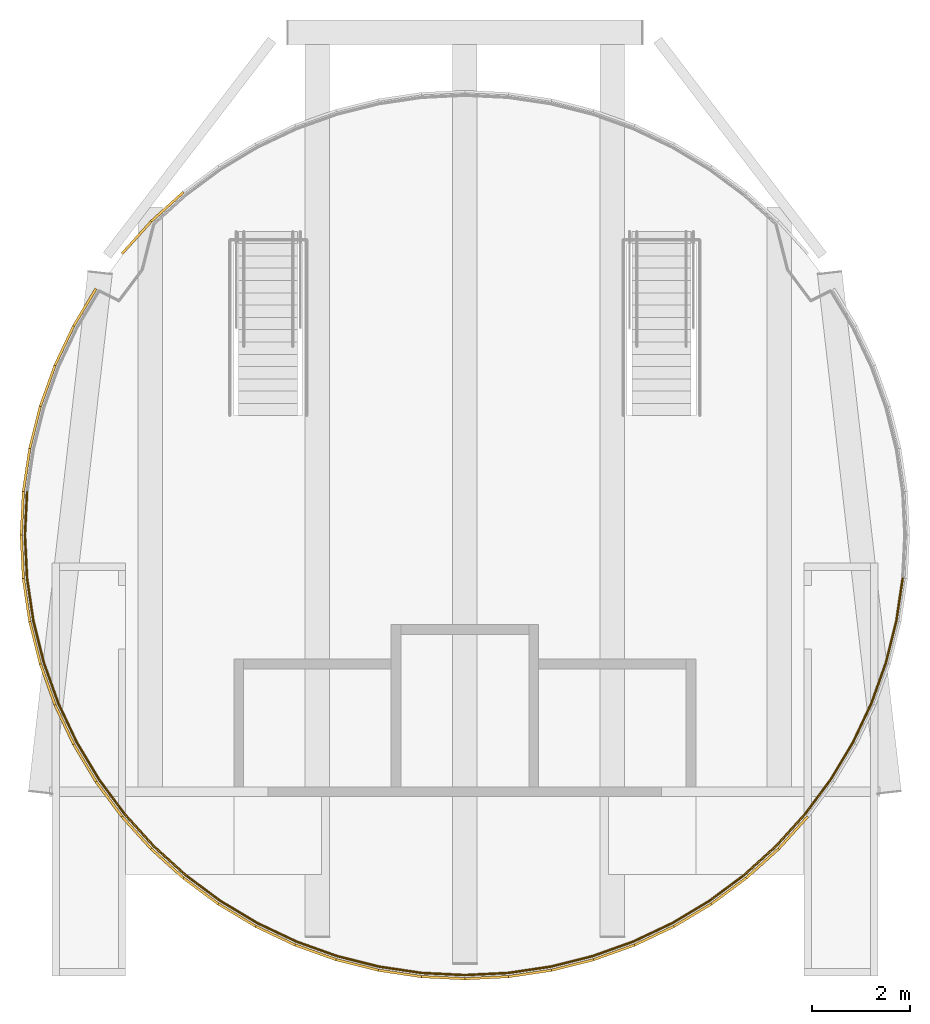
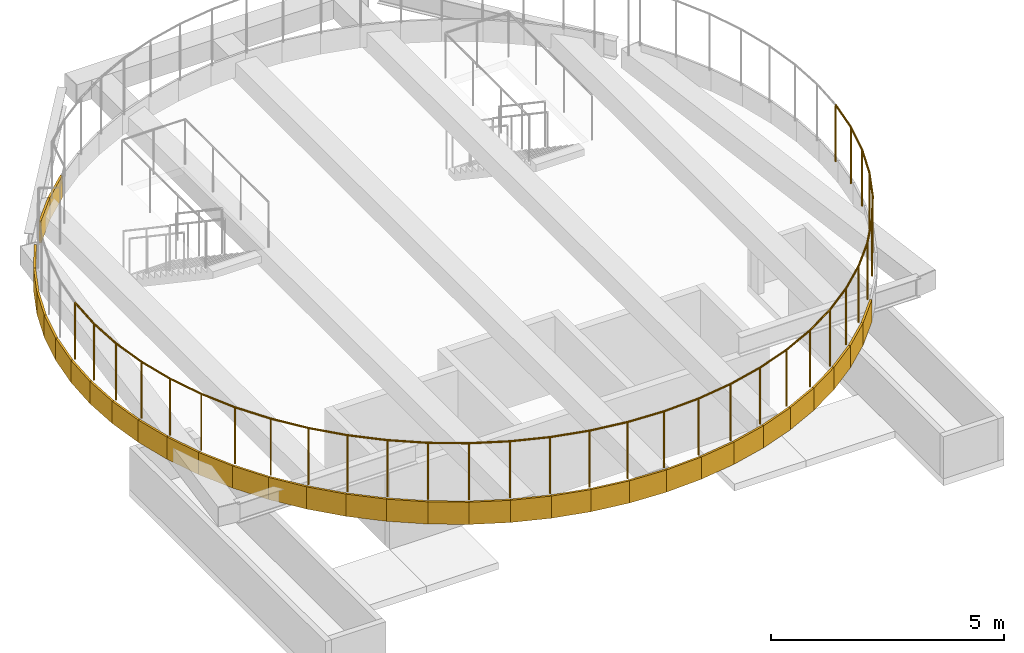
# One storey, part 2 of 4: 33 shading devices, 2 railings.
"""IFC4 building model written with IfcOpenShell, lengths in metres."""

from ifc_helpers import new_model, si_unit, direction, frame, origin, origin_2d, place, context, subcontext, project, spatial, polyline, circle, outline, extrude, material, layer, layer_set, type_object, element, save


model = new_model("IFC4")

# Units and contexts
model_context = context("Model", 3, precision=1e-05, world=origin(), true_north=direction((0.0, 1.0)))
body_context = subcontext(model_context, "Body", "Model", "MODEL_VIEW")
ifc_project = project(units=[si_unit("LENGTHUNIT", "METRE"), si_unit("AREAUNIT", "SQUARE_METRE"), si_unit("VOLUMEUNIT", "CUBIC_METRE"), si_unit("PLANEANGLEUNIT", "RADIAN"), si_unit("MASSUNIT", "GRAM", prefix="KILO")], contexts=[model_context])

# Site, building, storey
site_placement = place(None, origin())
site = spatial("IfcSite", under=ifc_project, at=site_placement, CompositionType="ELEMENT")
building_placement = place(site_placement, origin())
building = spatial("IfcBuilding", under=site, at=building_placement, Name="Fogline Exchange Tower", CompositionType="ELEMENT")
storey_placement = place(building_placement, frame((0.0, 0.0, 372.10009765625)))
storey = spatial("IfcBuildingStorey", under=building, at=storey_placement, Name="RF-3", CompositionType="ELEMENT", Elevation=372.10009765625)

# Railings
ifc_material_1 = material(Name="Stainless steel 304", Category="steel")
railing_type = type_object("IfcRailingType", Name="G2", PredefinedType="GUARDRAIL", material=ifc_material_1)
railing_1_placement = place(storey_placement, frame((8.906982421875, 10.0927734375, 2.699951171875)))
element("IfcRailing", 1, at=railing_1_placement, inside=storey, type_object=railing_type, Name="Helipad safety net guard", PredefinedType="GUARDRAIL", context=body_context, shape_type="SweptSolid", body=[
    extrude(circle(Radius=0.02392578125, at=origin_2d()), frame((0.0, 0.0, 1.47607421875), z_axis=(-0.146790471398, -0.989167608399, 0.0), x_axis=(0.989167608399, -0.146790471398, 0.0)), (0.0, 0.0, 1.0), 0.878173828125),
    extrude(circle(Radius=0.02392578125, at=origin_2d()), frame((-0.12890625, -0.86865234375, 1.47607421875), z_axis=(-0.242862522725, -0.970060717201, 0.0), x_axis=(0.970060717201, -0.242862522725, 0.0)), (0.0, 0.0, 1.0), 0.878662109375),
    extrude(circle(Radius=0.02392578125, at=origin_2d()), frame((-0.34228515625, -1.720947265625, 1.47607421875), z_axis=(-0.336917459354, -0.941534187155, 0.0), x_axis=(0.941534187155, -0.336917459354, 0.0)), (0.0, 0.0, 1.0), 0.878173828125),
    extrude(circle(Radius=0.02392578125, at=origin_2d()), frame((-0.63818359375, -2.5478515625, 1.47607421875), z_axis=(-0.427536590389, -0.903998044178, 0.0), x_axis=(0.903998044178, -0.427536590389, 0.0)), (0.0, 0.0, 1.0), 0.878173828125),
    extrude(circle(Radius=0.02392578125, at=origin_2d()), frame((-1.013671875, -3.341796875, 1.47607421875), z_axis=(-0.51429133249, -0.857615546341, 0.0), x_axis=(0.857615546341, -0.51429133249, 0.0)), (0.0, 0.0, 1.0), 0.878173828125),
    extrude(circle(Radius=0.02392578125, at=origin_2d()), frame((-1.46533203125, -4.094970703125, 1.47607421875), z_axis=(-0.595632942486, -0.80325674465, 0.0), x_axis=(0.80325674465, -0.595632942486, 0.0)), (0.0, 0.0, 1.0), 0.87841796875),
    extrude(circle(Radius=0.02392578125, at=origin_2d()), frame((-1.988525390625, -4.800537109375, 1.47607421875), z_axis=(-0.671509886699, -0.740995595173, 0.0), x_axis=(0.740995595173, -0.671509886699, 0.0)), (0.0, 0.0, 1.0), 0.87841796875),
    extrude(circle(Radius=0.02392578125, at=origin_2d()), frame((-2.578369140625, -5.451416015625, 1.47607421875), z_axis=(-0.740995595173, -0.671509886699, 0.0), x_axis=(0.671509886699, -0.740995595173, 0.0)), (0.0, 0.0, 1.0), 0.87841796875),
    extrude(circle(Radius=0.02392578125, at=origin_2d()), frame((-3.229248046875, -6.041259765625, 1.47607421875), z_axis=(-0.803158103208, -0.595765945024, 0.0), x_axis=(0.595765945024, -0.803158103208, 0.0)), (0.0, 0.0, 1.0), 0.878173828125),
    extrude(circle(Radius=0.02392578125, at=origin_2d()), frame((-3.9345703125, -6.564453125, 1.47607421875), z_axis=(-0.857811607572, -0.513964245755, 0.0), x_axis=(0.513964245755, -0.857811607572, 0.0)), (0.0, 0.0, 1.0), 0.87841796875),
    extrude(circle(Radius=0.02392578125, at=origin_2d()), frame((-4.68798828125, -7.015869140625, 1.47607421875), z_axis=(-0.903998044178, -0.427536590389, 0.0), x_axis=(0.427536590389, -0.903998044178, 0.0)), (0.0, 0.0, 1.0), 0.878173828125),
    extrude(circle(Radius=0.02392578125, at=origin_2d()), frame((-5.48193359375, -7.391357421875, 1.47607421875), z_axis=(-0.941534187155, -0.336917459354, 0.0), x_axis=(0.336917459354, -0.941534187155, 0.0)), (0.0, 0.0, 1.0), 0.878173828125),
    extrude(circle(Radius=0.02392578125, at=origin_2d()), frame((-6.308837890625, -7.687255859375, 1.47607421875), z_axis=(-0.96997879098, -0.243189524959, 0.0), x_axis=(0.243189524959, -0.96997879098, 0.0)), (0.0, 0.0, 1.0), 0.87841796875),
    extrude(circle(Radius=0.02392578125, at=origin_2d()), frame((-7.160888671875, -7.90087890625, 1.47607421875), z_axis=(-0.989173596382, -0.146750114889, 0.0), x_axis=(0.146750114889, -0.989173596382, 0.0)), (0.0, 0.0, 1.0), 0.87841796875),
    extrude(circle(Radius=0.02392578125, at=origin_2d()), frame((-8.02978515625, -8.02978515625, 1.47607421875), z_axis=(-0.998802431913, -0.048925473982, 0.0), x_axis=(0.048925473982, -0.998802431913, 0.0)), (0.0, 0.0, 1.0), 0.878173828125),
    extrude(circle(Radius=0.02392578125, at=origin_2d()), frame((-8.906982421875, -8.07275390625, 1.47607421875), z_axis=(-0.998802431913, 0.048925473982, 0.0), x_axis=(-0.048925473982, -0.998802431913, 0.0)), (0.0, 0.0, 1.0), 0.878173828125),
    extrude(circle(Radius=0.02099609375, at=origin_2d()), origin(), (0.0, 0.0, 1.0), 1.451904296875),
    extrude(circle(Radius=0.02099609375, at=origin_2d()), frame((-0.12890625, -0.86865234375, 0.0)), (0.0, 0.0, 1.0), 1.451904296875),
    extrude(circle(Radius=0.02099609375, at=origin_2d()), frame((-0.34228515625, -1.720947265625, 0.0)), (0.0, 0.0, 1.0), 1.451904296875),
    extrude(circle(Radius=0.02099609375, at=origin_2d()), frame((-0.63818359375, -2.5478515625, 0.0)), (0.0, 0.0, 1.0), 1.451904296875),
    extrude(circle(Radius=0.02099609375, at=origin_2d()), frame((-1.013671875, -3.341796875, 0.0)), (0.0, 0.0, 1.0), 1.451904296875),
    extrude(circle(Radius=0.02099609375, at=origin_2d()), frame((-1.46533203125, -4.094970703125, 0.0)), (0.0, 0.0, 1.0), 1.451904296875),
    extrude(circle(Radius=0.02099609375, at=origin_2d()), frame((-1.988525390625, -4.800537109375, 0.0)), (0.0, 0.0, 1.0), 1.451904296875),
    extrude(circle(Radius=0.02099609375, at=origin_2d()), frame((-2.578369140625, -5.451416015625, 0.0)), (0.0, 0.0, 1.0), 1.451904296875),
    extrude(circle(Radius=0.02099609375, at=origin_2d()), frame((-3.229248046875, -6.041259765625, 0.0)), (0.0, 0.0, 1.0), 1.451904296875),
    extrude(circle(Radius=0.02099609375, at=origin_2d()), frame((-3.9345703125, -6.564453125, 0.0)), (0.0, 0.0, 1.0), 1.451904296875),
    extrude(circle(Radius=0.02099609375, at=origin_2d()), frame((-4.68798828125, -7.015869140625, 0.0)), (0.0, 0.0, 1.0), 1.451904296875),
    extrude(circle(Radius=0.02099609375, at=origin_2d()), frame((-5.48193359375, -7.391357421875, 0.0)), (0.0, 0.0, 1.0), 1.451904296875),
    extrude(circle(Radius=0.02099609375, at=origin_2d()), frame((-6.308837890625, -7.687255859375, 0.0)), (0.0, 0.0, 1.0), 1.451904296875),
    extrude(circle(Radius=0.02099609375, at=origin_2d()), frame((-7.160888671875, -7.90087890625, 0.0)), (0.0, 0.0, 1.0), 1.451904296875),
    extrude(circle(Radius=0.02099609375, at=origin_2d()), frame((-8.02978515625, -8.02978515625, 0.0)), (0.0, 0.0, 1.0), 1.451904296875),
    extrude(circle(Radius=0.02099609375, at=origin_2d()), frame((-8.906982421875, -8.07275390625, 0.0)), (0.0, 0.0, 1.0), 1.451904296875),
    extrude(circle(Radius=0.02099609375, at=origin_2d()), frame((-9.7841796875, -8.02978515625, 0.0)), (0.0, 0.0, 1.0), 1.451904296875),
])
railing_2_placement = place(storey_placement, frame((-0.877197265625, 2.06298828125, 2.699951171875)))
element("IfcRailing", 2, at=railing_2_placement, inside=storey, type_object=railing_type, Name="Helipad safety net guard", PredefinedType="GUARDRAIL", context=body_context, shape_type="SweptSolid", body=[
    extrude(circle(Radius=0.02392578125, at=origin_2d()), frame((0.0, 0.0, 1.47607421875), z_axis=(-0.989173596382, 0.146750114889, 0.0), x_axis=(-0.146750114889, -0.989173596382, 0.0)), (0.0, 0.0, 1.0), 0.87841796875),
    extrude(circle(Radius=0.02392578125, at=origin_2d()), frame((-0.868896484375, 0.12890625, 1.47607421875), z_axis=(-0.96997879098, 0.243189524959, 0.0), x_axis=(-0.243189524959, -0.96997879098, 0.0)), (0.0, 0.0, 1.0), 0.87841796875),
    extrude(circle(Radius=0.02392578125, at=origin_2d()), frame((-1.720947265625, 0.342529296875, 1.47607421875), z_axis=(-0.941534187155, 0.336917459354, 0.0), x_axis=(-0.336917459354, -0.941534187155, 0.0)), (0.0, 0.0, 1.0), 0.878173828125),
    extrude(circle(Radius=0.02392578125, at=origin_2d()), frame((-2.5478515625, 0.638427734375, 1.47607421875), z_axis=(-0.903998044178, 0.427536590389, 0.0), x_axis=(-0.427536590389, -0.903998044178, 0.0)), (0.0, 0.0, 1.0), 0.878173828125),
    extrude(circle(Radius=0.02392578125, at=origin_2d()), frame((-3.341796875, 1.013916015625, 1.47607421875), z_axis=(-0.857811607572, 0.513964245755, 0.0), x_axis=(-0.513964245755, -0.857811607572, 0.0)), (0.0, 0.0, 1.0), 0.87841796875),
    extrude(circle(Radius=0.02392578125, at=origin_2d()), frame((-4.09521484375, 1.46533203125, 1.47607421875), z_axis=(-0.803158103208, 0.595765945024, 0.0), x_axis=(-0.595765945024, -0.803158103208, 0.0)), (0.0, 0.0, 1.0), 0.878173828125),
    extrude(circle(Radius=0.02392578125, at=origin_2d()), frame((-4.800537109375, 1.988525390625, 1.47607421875), z_axis=(-0.740995595173, 0.671509886699, 0.0), x_axis=(-0.671509886699, -0.740995595173, 0.0)), (0.0, 0.0, 1.0), 0.87841796875),
    extrude(circle(Radius=0.02392578125, at=origin_2d()), frame((-5.451416015625, 2.578369140625, 1.47607421875), z_axis=(-0.671509886699, 0.740995595173, 0.0), x_axis=(-0.740995595173, -0.671509886699, 0.0)), (0.0, 0.0, 1.0), 0.87841796875),
    extrude(circle(Radius=0.02392578125, at=origin_2d()), frame((-6.041259765625, 3.229248046875, 1.47607421875), z_axis=(-0.595632942486, 0.80325674465, 0.0), x_axis=(-0.80325674465, -0.595632942486, 0.0)), (0.0, 0.0, 1.0), 0.87841796875),
    extrude(circle(Radius=0.02392578125, at=origin_2d()), frame((-6.564453125, 3.934814453125, 1.47607421875), z_axis=(-0.51429133249, 0.857615546341, 0.0), x_axis=(-0.857615546341, -0.51429133249, 0.0)), (0.0, 0.0, 1.0), 0.878173828125),
    extrude(circle(Radius=0.02392578125, at=origin_2d()), frame((-7.01611328125, 4.68798828125, 1.47607421875), z_axis=(-0.427536590389, 0.903998044178, 0.0), x_axis=(-0.903998044178, -0.427536590389, 0.0)), (0.0, 0.0, 1.0), 0.878173828125),
    extrude(circle(Radius=0.02392578125, at=origin_2d()), frame((-7.3916015625, 5.48193359375, 1.47607421875), z_axis=(-0.336917459354, 0.941534187155, 0.0), x_axis=(-0.941534187155, -0.336917459354, 0.0)), (0.0, 0.0, 1.0), 0.878173828125),
    extrude(circle(Radius=0.02392578125, at=origin_2d()), frame((-7.6875, 6.308837890625, 1.47607421875), z_axis=(-0.242862522725, 0.970060717201, 0.0), x_axis=(-0.970060717201, -0.242862522725, 0.0)), (0.0, 0.0, 1.0), 0.878662109375),
    extrude(circle(Radius=0.02392578125, at=origin_2d()), frame((-7.90087890625, 7.1611328125, 1.47607421875), z_axis=(-0.146790471398, 0.989167608399, 0.0), x_axis=(-0.989167608399, -0.146790471398, 0.0)), (0.0, 0.0, 1.0), 0.878173828125),
    extrude(circle(Radius=0.02392578125, at=origin_2d()), frame((-8.02978515625, 8.02978515625, 1.47607421875), z_axis=(-0.048925473982, 0.998802431913, 0.0), x_axis=(-0.998802431913, -0.048925473982, 0.0)), (0.0, 0.0, 1.0), 0.878173828125),
    extrude(circle(Radius=0.02392578125, at=origin_2d()), frame((-8.07275390625, 8.906982421875, 1.47607421875), z_axis=(0.048911893456, 0.998803097051, 0.0), x_axis=(-0.998803097051, 0.048911893456, 0.0)), (0.0, 0.0, 1.0), 0.87841796875),
    extrude(circle(Radius=0.02099609375, at=origin_2d()), origin(), (0.0, 0.0, 1.0), 1.451904296875),
    extrude(circle(Radius=0.02099609375, at=origin_2d()), frame((-0.868896484375, 0.12890625, 0.0)), (0.0, 0.0, 1.0), 1.451904296875),
    extrude(circle(Radius=0.02099609375, at=origin_2d()), frame((-1.720947265625, 0.342529296875, 0.0)), (0.0, 0.0, 1.0), 1.451904296875),
    extrude(circle(Radius=0.02099609375, at=origin_2d()), frame((-2.5478515625, 0.638427734375, 0.0)), (0.0, 0.0, 1.0), 1.451904296875),
    extrude(circle(Radius=0.02099609375, at=origin_2d()), frame((-3.341796875, 1.013916015625, 0.0)), (0.0, 0.0, 1.0), 1.451904296875),
    extrude(circle(Radius=0.02099609375, at=origin_2d()), frame((-4.09521484375, 1.46533203125, 0.0)), (0.0, 0.0, 1.0), 1.451904296875),
    extrude(circle(Radius=0.02099609375, at=origin_2d()), frame((-4.800537109375, 1.988525390625, 0.0)), (0.0, 0.0, 1.0), 1.451904296875),
    extrude(circle(Radius=0.02099609375, at=origin_2d()), frame((-5.451416015625, 2.578369140625, 0.0)), (0.0, 0.0, 1.0), 1.451904296875),
    extrude(circle(Radius=0.02099609375, at=origin_2d()), frame((-6.041259765625, 3.229248046875, 0.0)), (0.0, 0.0, 1.0), 1.451904296875),
    extrude(circle(Radius=0.02099609375, at=origin_2d()), frame((-6.564453125, 3.934814453125, 0.0)), (0.0, 0.0, 1.0), 1.451904296875),
    extrude(circle(Radius=0.02099609375, at=origin_2d()), frame((-7.01611328125, 4.68798828125, 0.0)), (0.0, 0.0, 1.0), 1.451904296875),
    extrude(circle(Radius=0.02099609375, at=origin_2d()), frame((-7.3916015625, 5.48193359375, 0.0)), (0.0, 0.0, 1.0), 1.451904296875),
    extrude(circle(Radius=0.02099609375, at=origin_2d()), frame((-7.6875, 6.308837890625, 0.0)), (0.0, 0.0, 1.0), 1.451904296875),
    extrude(circle(Radius=0.02099609375, at=origin_2d()), frame((-7.90087890625, 7.1611328125, 0.0)), (0.0, 0.0, 1.0), 1.451904296875),
    extrude(circle(Radius=0.02099609375, at=origin_2d()), frame((-8.02978515625, 8.02978515625, 0.0)), (0.0, 0.0, 1.0), 1.451904296875),
    extrude(circle(Radius=0.02099609375, at=origin_2d()), frame((-8.07275390625, 8.906982421875, 0.0)), (0.0, 0.0, 1.0), 1.451904296875),
    extrude(circle(Radius=0.02099609375, at=origin_2d()), frame((-8.02978515625, 9.784423828125, 0.0)), (0.0, 0.0, 1.0), 1.451904296875),
])

# Shading devices
ifc_material_2 = material(Name="Aluminium louvre", Category="aluminium")
ifc_layer = layer(ifc_material_2, 0.050048828125)
ifc_layer_set = layer_set([ifc_layer], Name="LV1")
shading_device_type = type_object("IfcShadingDeviceType", Name="LV1", PredefinedType="SHUTTER", material=ifc_layer_set)
shading_device_1_placement = place(storey_placement, frame((0.0, 0.0, 2.119873046875)))
element("IfcShadingDevice", 3, at=shading_device_1_placement, inside=storey, type_object=shading_device_type, Name="Helipad louvre skirt", PredefinedType="SHUTTER", context=body_context, shape_type="SweptSolid", body=[
    extrude(outline(polyline([(-5.70947265625, 17.927001953125), (-5.7412109375, 17.9658203125), (-6.3994140625, 17.369384765625), (-6.364013671875, 17.333984375), (-5.70947265625, 17.927001953125)])), origin(), (0.0, 0.0, 1.0), 0.580078125),
])
shading_device_2_placement = place(storey_placement, frame((0.0, 0.0, 2.119873046875)))
element("IfcShadingDevice", 4, at=shading_device_2_placement, inside=storey, type_object=shading_device_type, Name="Helipad louvre skirt", PredefinedType="SHUTTER", context=body_context, shape_type="SweptSolid", body=[
    extrude(outline(polyline([(-6.364013671875, 17.333984375), (-6.3994140625, 17.369384765625), (-6.99560546875, 16.711181640625), (-6.95703125, 16.679443359375), (-6.364013671875, 17.333984375)])), origin(), (0.0, 0.0, 1.0), 0.580078125),
])
shading_device_3_placement = place(storey_placement, frame((0.0, 0.0, 2.119873046875)))
element("IfcShadingDevice", 5, at=shading_device_3_placement, inside=storey, type_object=shading_device_type, Name="Helipad louvre skirt", PredefinedType="SHUTTER", context=body_context, shape_type="SweptSolid", body=[
    extrude(outline(polyline([(-7.483154296875, 15.97021484375), (-7.52490234375, 15.997802734375), (-7.9814453125, 15.236083984375), (-7.937255859375, 15.212646484375), (-7.483154296875, 15.97021484375)])), origin(), (0.0, 0.0, 1.0), 0.580078125),
])
shading_device_4_placement = place(storey_placement, frame((0.0, 0.0, 2.119873046875)))
element("IfcShadingDevice", 6, at=shading_device_4_placement, inside=storey, type_object=shading_device_type, Name="Helipad louvre skirt", PredefinedType="SHUTTER", context=body_context, shape_type="SweptSolid", body=[
    extrude(outline(polyline([(-7.937255859375, 15.212646484375), (-7.9814453125, 15.236083984375), (-8.361083984375, 14.433349609375), (-8.31494140625, 14.414306640625), (-7.937255859375, 15.212646484375)])), origin(), (0.0, 0.0, 1.0), 0.580078125),
])
shading_device_5_placement = place(storey_placement, frame((0.0, 0.0, 2.119873046875)))
element("IfcShadingDevice", 7, at=shading_device_5_placement, inside=storey, type_object=shading_device_type, Name="Helipad louvre skirt", PredefinedType="SHUTTER", context=body_context, shape_type="SweptSolid", body=[
    extrude(outline(polyline([(-8.31494140625, 14.414306640625), (-8.361083984375, 14.433349609375), (-8.660400390625, 13.59716796875), (-8.612548828125, 13.58251953125), (-8.31494140625, 14.414306640625)])), origin(), (0.0, 0.0, 1.0), 0.580078125),
])
shading_device_6_placement = place(storey_placement, frame((0.0, 0.0, 2.119873046875)))
element("IfcShadingDevice", 8, at=shading_device_6_placement, inside=storey, type_object=shading_device_type, Name="Helipad louvre skirt", PredefinedType="SHUTTER", context=body_context, shape_type="SweptSolid", body=[
    extrude(outline(polyline([(-8.612548828125, 13.58251953125), (-8.660400390625, 13.59716796875), (-8.876220703125, 12.735595703125), (-8.8271484375, 12.725830078125), (-8.612548828125, 13.58251953125)])), origin(), (0.0, 0.0, 1.0), 0.580078125),
])
shading_device_7_placement = place(storey_placement, frame((0.0, 0.0, 2.119873046875)))
element("IfcShadingDevice", 9, at=shading_device_7_placement, inside=storey, type_object=shading_device_type, Name="Helipad louvre skirt", PredefinedType="SHUTTER", context=body_context, shape_type="SweptSolid", body=[
    extrude(outline(polyline([(-8.8271484375, 12.725830078125), (-8.876220703125, 12.735595703125), (-9.00634765625, 11.857177734375), (-8.956787109375, 11.852294921875), (-8.8271484375, 12.725830078125)])), origin(), (0.0, 0.0, 1.0), 0.580078125),
])
shading_device_8_placement = place(storey_placement, frame((0.0, 0.0, 2.119873046875)))
element("IfcShadingDevice", 10, at=shading_device_8_placement, inside=storey, type_object=shading_device_type, Name="Helipad louvre skirt", PredefinedType="SHUTTER", context=body_context, shape_type="SweptSolid", body=[
    extrude(outline(polyline([(-8.956787109375, 11.852294921875), (-9.00634765625, 11.857177734375), (-9.050048828125, 10.969970703125), (-9.0, 10.969970703125), (-8.956787109375, 11.852294921875)])), origin(), (0.0, 0.0, 1.0), 0.580078125),
])
shading_device_9_placement = place(storey_placement, frame((0.0, 0.0, 2.119873046875)))
element("IfcShadingDevice", 11, at=shading_device_9_placement, inside=storey, type_object=shading_device_type, Name="Helipad louvre skirt", PredefinedType="SHUTTER", context=body_context, shape_type="SweptSolid", body=[
    extrude(outline(polyline([(-9.0, 10.969970703125), (-9.050048828125, 10.969970703125), (-9.00634765625, 10.0830078125), (-8.956787109375, 10.087890625), (-9.0, 10.969970703125)])), origin(), (0.0, 0.0, 1.0), 0.580078125),
])
shading_device_10_placement = place(storey_placement, frame((0.0, 0.0, 2.119873046875)))
element("IfcShadingDevice", 12, at=shading_device_10_placement, inside=storey, type_object=shading_device_type, Name="Helipad louvre skirt", PredefinedType="SHUTTER", context=body_context, shape_type="SweptSolid", body=[
    extrude(outline(polyline([(-8.956787109375, 10.087890625), (-9.00634765625, 10.0830078125), (-8.876220703125, 9.204345703125), (-8.8271484375, 9.214111328125), (-8.956787109375, 10.087890625)])), origin(), (0.0, 0.0, 1.0), 0.580078125),
])
shading_device_11_placement = place(storey_placement, frame((0.0, 0.0, 2.119873046875)))
element("IfcShadingDevice", 13, at=shading_device_11_placement, inside=storey, type_object=shading_device_type, Name="Helipad louvre skirt", PredefinedType="SHUTTER", context=body_context, shape_type="SweptSolid", body=[
    extrude(outline(polyline([(-8.8271484375, 9.214111328125), (-8.876220703125, 9.204345703125), (-8.660400390625, 8.343017578125), (-8.612548828125, 8.357421875), (-8.8271484375, 9.214111328125)])), origin(), (0.0, 0.0, 1.0), 0.580078125),
])
shading_device_12_placement = place(storey_placement, frame((0.0, 0.0, 2.119873046875)))
element("IfcShadingDevice", 14, at=shading_device_12_placement, inside=storey, type_object=shading_device_type, Name="Helipad louvre skirt", PredefinedType="SHUTTER", context=body_context, shape_type="SweptSolid", body=[
    extrude(outline(polyline([(-8.612548828125, 8.357421875), (-8.660400390625, 8.343017578125), (-8.361083984375, 7.506591796875), (-8.31494140625, 7.52587890625), (-8.612548828125, 8.357421875)])), origin(), (0.0, 0.0, 1.0), 0.580078125),
])
shading_device_13_placement = place(storey_placement, frame((0.0, 0.0, 2.119873046875)))
element("IfcShadingDevice", 15, at=shading_device_13_placement, inside=storey, type_object=shading_device_type, Name="Helipad louvre skirt", PredefinedType="SHUTTER", context=body_context, shape_type="SweptSolid", body=[
    extrude(outline(polyline([(-8.31494140625, 7.52587890625), (-8.361083984375, 7.506591796875), (-7.9814453125, 6.703857421875), (-7.937255859375, 6.727294921875), (-8.31494140625, 7.52587890625)])), origin(), (0.0, 0.0, 1.0), 0.580078125),
])
shading_device_14_placement = place(storey_placement, frame((0.0, 0.0, 2.119873046875)))
element("IfcShadingDevice", 16, at=shading_device_14_placement, inside=storey, type_object=shading_device_type, Name="Helipad louvre skirt", PredefinedType="SHUTTER", context=body_context, shape_type="SweptSolid", body=[
    extrude(outline(polyline([(-7.937255859375, 6.727294921875), (-7.9814453125, 6.703857421875), (-7.52490234375, 5.942138671875), (-7.483154296875, 5.969970703125), (-7.937255859375, 6.727294921875)])), origin(), (0.0, 0.0, 1.0), 0.580078125),
])
shading_device_15_placement = place(storey_placement, frame((0.0, 0.0, 2.119873046875)))
element("IfcShadingDevice", 17, at=shading_device_15_placement, inside=storey, type_object=shading_device_type, Name="Helipad louvre skirt", PredefinedType="SHUTTER", context=body_context, shape_type="SweptSolid", body=[
    extrude(outline(polyline([(-7.483154296875, 5.969970703125), (-7.52490234375, 5.942138671875), (-6.99560546875, 5.228759765625), (-6.95703125, 5.260498046875), (-7.483154296875, 5.969970703125)])), origin(), (0.0, 0.0, 1.0), 0.580078125),
])
shading_device_16_placement = place(storey_placement, frame((0.0, 0.0, 2.119873046875)))
element("IfcShadingDevice", 18, at=shading_device_16_placement, inside=storey, type_object=shading_device_type, Name="Helipad louvre skirt", PredefinedType="SHUTTER", context=body_context, shape_type="SweptSolid", body=[
    extrude(outline(polyline([(-6.95703125, 5.260498046875), (-6.99560546875, 5.228759765625), (-6.3994140625, 4.57080078125), (-6.364013671875, 4.60595703125), (-6.95703125, 5.260498046875)])), origin(), (0.0, 0.0, 1.0), 0.580078125),
])
shading_device_17_placement = place(storey_placement, frame((0.0, 0.0, 2.119873046875)))
element("IfcShadingDevice", 19, at=shading_device_17_placement, inside=storey, type_object=shading_device_type, Name="Helipad louvre skirt", PredefinedType="SHUTTER", context=body_context, shape_type="SweptSolid", body=[
    extrude(outline(polyline([(-6.364013671875, 4.60595703125), (-6.3994140625, 4.57080078125), (-5.7412109375, 3.974365234375), (-5.70947265625, 4.012939453125), (-6.364013671875, 4.60595703125)])), origin(), (0.0, 0.0, 1.0), 0.580078125),
])
shading_device_18_placement = place(storey_placement, frame((0.0, 0.0, 2.119873046875)))
element("IfcShadingDevice", 20, at=shading_device_18_placement, inside=storey, type_object=shading_device_type, Name="Helipad louvre skirt", PredefinedType="SHUTTER", context=body_context, shape_type="SweptSolid", body=[
    extrude(outline(polyline([(-5.70947265625, 4.012939453125), (-5.7412109375, 3.974365234375), (-5.02783203125, 3.4453125), (-5.0, 3.48681640625), (-5.70947265625, 4.012939453125)])), origin(), (0.0, 0.0, 1.0), 0.580078125),
])
shading_device_19_placement = place(storey_placement, frame((0.0, 0.0, 2.119873046875)))
element("IfcShadingDevice", 21, at=shading_device_19_placement, inside=storey, type_object=shading_device_type, Name="Helipad louvre skirt", PredefinedType="SHUTTER", context=body_context, shape_type="SweptSolid", body=[
    extrude(outline(polyline([(-5.0, 3.48681640625), (-5.02783203125, 3.4453125), (-4.26611328125, 2.988525390625), (-4.24267578125, 3.03271484375), (-5.0, 3.48681640625)])), origin(), (0.0, 0.0, 1.0), 0.580078125),
])
shading_device_20_placement = place(storey_placement, frame((0.0, 0.0, 2.119873046875)))
element("IfcShadingDevice", 22, at=shading_device_20_placement, inside=storey, type_object=shading_device_type, Name="Helipad louvre skirt", PredefinedType="SHUTTER", context=body_context, shape_type="SweptSolid", body=[
    extrude(outline(polyline([(-4.24267578125, 3.03271484375), (-4.26611328125, 2.988525390625), (-3.46337890625, 2.60888671875), (-3.444091796875, 2.655029296875), (-4.24267578125, 3.03271484375)])), origin(), (0.0, 0.0, 1.0), 0.580078125),
])
shading_device_21_placement = place(storey_placement, frame((0.0, 0.0, 2.119873046875)))
element("IfcShadingDevice", 23, at=shading_device_21_placement, inside=storey, type_object=shading_device_type, Name="Helipad louvre skirt", PredefinedType="SHUTTER", context=body_context, shape_type="SweptSolid", body=[
    extrude(outline(polyline([(-3.444091796875, 2.655029296875), (-3.46337890625, 2.60888671875), (-2.627197265625, 2.309814453125), (-2.612548828125, 2.357421875), (-3.444091796875, 2.655029296875)])), origin(), (0.0, 0.0, 1.0), 0.580078125),
])
shading_device_22_placement = place(storey_placement, frame((0.0, 0.0, 2.119873046875)))
element("IfcShadingDevice", 24, at=shading_device_22_placement, inside=storey, type_object=shading_device_type, Name="Helipad louvre skirt", PredefinedType="SHUTTER", context=body_context, shape_type="SweptSolid", body=[
    extrude(outline(polyline([(-2.612548828125, 2.357421875), (-2.627197265625, 2.309814453125), (-1.765625, 2.093994140625), (-1.755859375, 2.142822265625), (-2.612548828125, 2.357421875)])), origin(), (0.0, 0.0, 1.0), 0.580078125),
])
shading_device_23_placement = place(storey_placement, frame((0.0, 0.0, 2.119873046875)))
element("IfcShadingDevice", 25, at=shading_device_23_placement, inside=storey, type_object=shading_device_type, Name="Helipad louvre skirt", PredefinedType="SHUTTER", context=body_context, shape_type="SweptSolid", body=[
    extrude(outline(polyline([(-1.755859375, 2.142822265625), (-1.765625, 2.093994140625), (-0.88720703125, 1.963623046875), (-0.882080078125, 2.01318359375), (-1.755859375, 2.142822265625)])), origin(), (0.0, 0.0, 1.0), 0.580078125),
])
shading_device_24_placement = place(storey_placement, frame((0.0, 0.0, 2.119873046875)))
element("IfcShadingDevice", 26, at=shading_device_24_placement, inside=storey, type_object=shading_device_type, Name="Helipad louvre skirt", PredefinedType="SHUTTER", context=body_context, shape_type="SweptSolid", body=[
    extrude(outline(polyline([(-0.882080078125, 2.01318359375), (-0.88720703125, 1.963623046875), (0.0, 1.919921875), (0.0, 1.969970703125), (-0.882080078125, 2.01318359375)])), origin(), (0.0, 0.0, 1.0), 0.580078125),
])
shading_device_25_placement = place(storey_placement, frame((0.0, 0.0, 2.119873046875)))
element("IfcShadingDevice", 27, at=shading_device_25_placement, inside=storey, type_object=shading_device_type, Name="Helipad louvre skirt", PredefinedType="SHUTTER", context=body_context, shape_type="SweptSolid", body=[
    extrude(outline(polyline([(0.0, 1.969970703125), (0.0, 1.919921875), (0.88720703125, 1.963623046875), (0.882080078125, 2.01318359375), (0.0, 1.969970703125)])), origin(), (0.0, 0.0, 1.0), 0.580078125),
])
shading_device_26_placement = place(storey_placement, frame((0.0, 0.0, 2.119873046875)))
element("IfcShadingDevice", 28, at=shading_device_26_placement, inside=storey, type_object=shading_device_type, Name="Helipad louvre skirt", PredefinedType="SHUTTER", context=body_context, shape_type="SweptSolid", body=[
    extrude(outline(polyline([(0.882080078125, 2.01318359375), (0.88720703125, 1.963623046875), (1.765625, 2.093994140625), (1.755859375, 2.142822265625), (0.882080078125, 2.01318359375)])), origin(), (0.0, 0.0, 1.0), 0.580078125),
])
shading_device_27_placement = place(storey_placement, frame((0.0, 0.0, 2.119873046875)))
element("IfcShadingDevice", 29, at=shading_device_27_placement, inside=storey, type_object=shading_device_type, Name="Helipad louvre skirt", PredefinedType="SHUTTER", context=body_context, shape_type="SweptSolid", body=[
    extrude(outline(polyline([(1.755859375, 2.142822265625), (1.765625, 2.093994140625), (2.627197265625, 2.309814453125), (2.612548828125, 2.357421875), (1.755859375, 2.142822265625)])), origin(), (0.0, 0.0, 1.0), 0.580078125),
])
shading_device_28_placement = place(storey_placement, frame((0.0, 0.0, 2.119873046875)))
element("IfcShadingDevice", 30, at=shading_device_28_placement, inside=storey, type_object=shading_device_type, Name="Helipad louvre skirt", PredefinedType="SHUTTER", context=body_context, shape_type="SweptSolid", body=[
    extrude(outline(polyline([(2.612548828125, 2.357421875), (2.627197265625, 2.309814453125), (3.46337890625, 2.60888671875), (3.444091796875, 2.655029296875), (2.612548828125, 2.357421875)])), origin(), (0.0, 0.0, 1.0), 0.580078125),
])
shading_device_29_placement = place(storey_placement, frame((0.0, 0.0, 2.119873046875)))
element("IfcShadingDevice", 31, at=shading_device_29_placement, inside=storey, type_object=shading_device_type, Name="Helipad louvre skirt", PredefinedType="SHUTTER", context=body_context, shape_type="SweptSolid", body=[
    extrude(outline(polyline([(3.444091796875, 2.655029296875), (3.46337890625, 2.60888671875), (4.26611328125, 2.988525390625), (4.24267578125, 3.03271484375), (3.444091796875, 2.655029296875)])), origin(), (0.0, 0.0, 1.0), 0.580078125),
])
shading_device_30_placement = place(storey_placement, frame((0.0, 0.0, 2.119873046875)))
element("IfcShadingDevice", 32, at=shading_device_30_placement, inside=storey, type_object=shading_device_type, Name="Helipad louvre skirt", PredefinedType="SHUTTER", context=body_context, shape_type="SweptSolid", body=[
    extrude(outline(polyline([(4.24267578125, 3.03271484375), (4.26611328125, 2.988525390625), (5.02783203125, 3.4453125), (5.0, 3.48681640625), (4.24267578125, 3.03271484375)])), origin(), (0.0, 0.0, 1.0), 0.580078125),
])
shading_device_31_placement = place(storey_placement, frame((0.0, 0.0, 2.119873046875)))
element("IfcShadingDevice", 33, at=shading_device_31_placement, inside=storey, type_object=shading_device_type, Name="Helipad louvre skirt", PredefinedType="SHUTTER", context=body_context, shape_type="SweptSolid", body=[
    extrude(outline(polyline([(5.0, 3.48681640625), (5.02783203125, 3.4453125), (5.7412109375, 3.974365234375), (5.70947265625, 4.012939453125), (5.0, 3.48681640625)])), origin(), (0.0, 0.0, 1.0), 0.580078125),
])
shading_device_32_placement = place(storey_placement, frame((0.0, 0.0, 2.119873046875)))
element("IfcShadingDevice", 34, at=shading_device_32_placement, inside=storey, type_object=shading_device_type, Name="Helipad louvre skirt", PredefinedType="SHUTTER", context=body_context, shape_type="SweptSolid", body=[
    extrude(outline(polyline([(5.70947265625, 4.012939453125), (5.7412109375, 3.974365234375), (6.3994140625, 4.57080078125), (6.364013671875, 4.60595703125), (5.70947265625, 4.012939453125)])), origin(), (0.0, 0.0, 1.0), 0.580078125),
])
shading_device_33_placement = place(storey_placement, frame((0.0, 0.0, 2.119873046875)))
element("IfcShadingDevice", 35, at=shading_device_33_placement, inside=storey, type_object=shading_device_type, Name="Helipad louvre skirt", PredefinedType="SHUTTER", context=body_context, shape_type="SweptSolid", body=[
    extrude(outline(polyline([(6.364013671875, 4.60595703125), (6.3994140625, 4.57080078125), (6.99560546875, 5.228759765625), (6.95703125, 5.260498046875), (6.364013671875, 4.60595703125)])), origin(), (0.0, 0.0, 1.0), 0.580078125),
])

save(model, "model.ifc")
